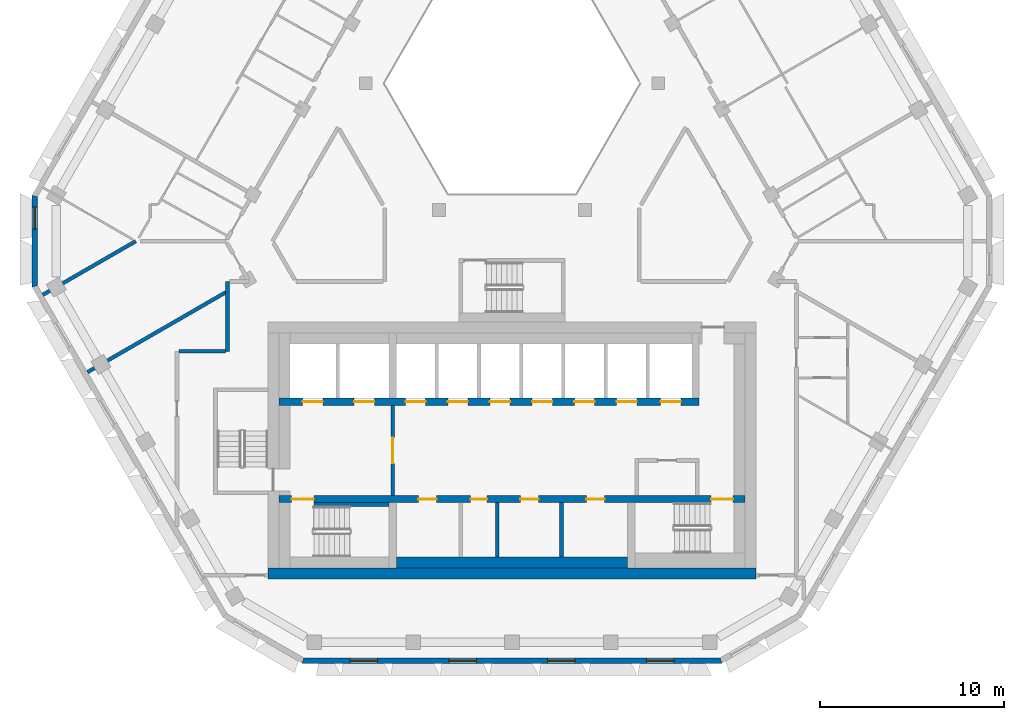
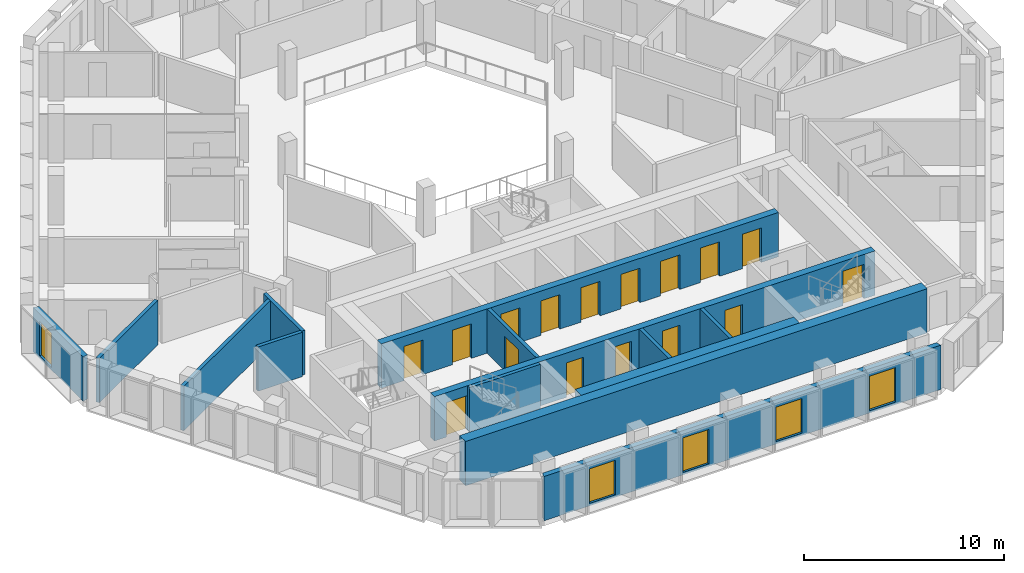
# One storey, part 3 of 15: 16 doors, 14 walls, 5 windows, 21 openings.
"""IFC4 building model written with IfcOpenShell, lengths in metres."""

from ifc_helpers import new_model, si_unit, direction, frame, frame_2d, origin, place, context, subcontext, project, spatial, polyline, rectangle, outline, extrude, material, layer, layer_set, type_object, element, fill, save


model = new_model("IFC4")

# Units and contexts
model_context = context("Model", 3, precision=1e-05, world=origin(), true_north=direction((0.0, 1.0)))
body_context = subcontext(model_context, "Body", "Model", "MODEL_VIEW")
ifc_project = project(units=[si_unit("LENGTHUNIT", "METRE"), si_unit("AREAUNIT", "SQUARE_METRE"), si_unit("VOLUMEUNIT", "CUBIC_METRE"), si_unit("PLANEANGLEUNIT", "RADIAN"), si_unit("MASSUNIT", "GRAM", prefix="KILO")], contexts=[model_context])

# Site, building, storey
site_placement = place(None, origin())
site = spatial("IfcSite", under=ifc_project, at=site_placement, CompositionType="ELEMENT")
building_placement = place(site_placement, origin())
building = spatial("IfcBuilding", under=site, at=building_placement, Name="Beryl Residences", CompositionType="ELEMENT")
storey_placement = place(building_placement, frame((0.0, 0.0, 187.199951171875)))
storey = spatial("IfcBuildingStorey", under=building, at=storey_placement, Name="L57", CompositionType="ELEMENT", Elevation=187.199951171875)

# Wall, opening, window
ifc_material_1 = material(Name="Composite metal panel with mineral wool insulation")
ifc_layer_1 = layer(ifc_material_1, 0.300048828125)
ifc_layer_set_1 = layer_set([ifc_layer_1], Name="ES1 pale metal composite panel wall 300 mm")
wall_type_1 = type_object("IfcWallType", Name="ES1 pale metal composite panel wall 300 mm", PredefinedType="SOLIDWALL", material=ifc_layer_set_1)
wall_1_placement = place(storey_placement, frame((-26.00390625, 1.89990234375, 0.0), z_axis=(0.0, 0.0, 1.0), x_axis=(0.0, -1.0, 0.0)))
wall_1 = element("IfcWall", 1, at=wall_1_placement, inside=storey, type_object=wall_type_1, Name="ES1 external wall L57 NW-SW", PredefinedType="SOLIDWALL", context=body_context, shape_type="SweptSolid", body=[
    extrude(outline(polyline([(0.0, -0.14990234375), (5.0, -0.14990234375), (4.919677734375, 0.14990234375), (0.080322265625, 0.14990234375), (0.0, -0.14990234375)])), origin(), (0.0, 0.0, 1.0), 2.699951171875),
])
opening_1_placement = place(wall_1_placement, frame((0.64990234375, 0.0, 0.14990234375)))
opening_1 = element("IfcOpeningElement", 2, at=opening_1_placement, cuts=wall_1, Name="Opening W2", PredefinedType="OPENING", context=body_context, shape_type="SweptSolid", body=[
    extrude(rectangle(XDim=1.199951171875, YDim=2.10009765625, at=frame_2d((0.60009765625, 1.050048828125))), frame((0.0, 0.159912109375, 0.0), z_axis=(0.0, -1.0, 0.0), x_axis=(1.0, 0.0, 0.0)), (0.0, 0.0, 1.0), 0.320068359375),
])
ifc_material_2 = material(Name="Aluminium and clear glass", Category="aluminium")
window_type_1 = type_object("IfcWindowType", Name="W2 chamfer window 1200 x 2100 mm", PartitioningType="SINGLE_PANEL", PredefinedType="WINDOW", material=ifc_material_2)
window_1_placement = place(opening_1_placement, origin())
window_1 = element("IfcWindow", 3, at=window_1_placement, inside=storey, type_object=window_type_1, Name="W2 window L57 NW-SW 1", OverallHeight=2.10009765625, OverallWidth=1.199951171875, PartitioningType="SINGLE_PANEL", PredefinedType="WINDOW", context=body_context, shape_type="SweptSolid", body=[
    extrude(rectangle(XDim=1.199951171875, YDim=2.10009765625, at=frame_2d((0.60009765625, 1.050048828125))), frame((0.0, 0.030029296875, 0.0), z_axis=(0.0, -1.0, 0.0), x_axis=(1.0, 0.0, 0.0)), (0.0, 0.0, 1.0), 0.06005859375),
])
fill(opening_1, window_1)

# Wall, openings, windows
wall_2_placement = place(storey_placement, frame((-11.430908203125, -23.449951171875, 0.0), z_axis=(0.0, 0.0, 1.0), x_axis=(1.0, 0.0, 0.0)))
wall_2 = element("IfcWall", 4, at=wall_2_placement, inside=storey, type_object=wall_type_1, Name="ES1 external wall L57 S", PredefinedType="SOLIDWALL", context=body_context, shape_type="SweptSolid", body=[
    extrude(outline(polyline([(0.0, -0.14990234375), (22.86181640625, -0.14990234375), (22.781494140625, 0.14990234375), (0.080322265625, 0.14990234375), (0.0, -0.14990234375)])), origin(), (0.0, 0.0, 1.0), 2.699951171875),
])
opening_2_placement = place(wall_2_placement, frame((2.60595703125, 0.0, 0.14990234375)))
opening_2 = element("IfcOpeningElement", 5, at=opening_2_placement, cuts=wall_2, Name="Opening W1", PredefinedType="OPENING", context=body_context, shape_type="SweptSolid", body=[
    extrude(rectangle(XDim=1.5, YDim=2.10009765625, at=frame_2d((0.75, 1.050048828125))), frame((0.0, 0.159912109375, 0.0), z_axis=(0.0, -1.0, 0.0), x_axis=(1.0, 0.0, 0.0)), (0.0, 0.0, 1.0), 0.320068359375),
])
opening_3_placement = place(wall_2_placement, frame((7.989990234375, 0.0, 0.14990234375)))
opening_3 = element("IfcOpeningElement", 6, at=opening_3_placement, cuts=wall_2, Name="Opening W1", PredefinedType="OPENING", context=body_context, shape_type="SweptSolid", body=[
    extrude(rectangle(XDim=1.5, YDim=2.10009765625, at=frame_2d((0.75, 1.050048828125))), frame((0.0, 0.159912109375, 0.0), z_axis=(0.0, -1.0, 0.0), x_axis=(1.0, 0.0, 0.0)), (0.0, 0.0, 1.0), 0.320068359375),
])
opening_4_placement = place(wall_2_placement, frame((13.3740234375, 0.0, 0.14990234375)))
opening_4 = element("IfcOpeningElement", 7, at=opening_4_placement, cuts=wall_2, Name="Opening W1", PredefinedType="OPENING", context=body_context, shape_type="SweptSolid", body=[
    extrude(rectangle(XDim=1.5, YDim=2.10009765625, at=frame_2d((0.75, 1.050048828125))), frame((0.0, 0.159912109375, 0.0), z_axis=(0.0, -1.0, 0.0), x_axis=(1.0, 0.0, 0.0)), (0.0, 0.0, 1.0), 0.320068359375),
])
opening_5_placement = place(wall_2_placement, frame((18.758056640625, 0.0, 0.14990234375)))
opening_5 = element("IfcOpeningElement", 8, at=opening_5_placement, cuts=wall_2, Name="Opening W1", PredefinedType="OPENING", context=body_context, shape_type="SweptSolid", body=[
    extrude(rectangle(XDim=1.5, YDim=2.10009765625, at=frame_2d((0.75, 1.050048828125))), frame((0.0, 0.159912109375, 0.0), z_axis=(0.0, -1.0, 0.0), x_axis=(1.0, 0.0, 0.0)), (0.0, 0.0, 1.0), 0.320068359375),
])
ifc_material_3 = material(Name="Aluminium and clear glass", Category="aluminium")
window_type_2 = type_object("IfcWindowType", Name="W1 cell window 1500 x 2100 mm", PartitioningType="SINGLE_PANEL", PredefinedType="WINDOW", material=ifc_material_3)
window_2_placement = place(opening_2_placement, origin())
window_2 = element("IfcWindow", 9, at=window_2_placement, inside=storey, type_object=window_type_2, Name="W1 window L57 S 2", OverallHeight=2.10009765625, OverallWidth=1.5, PartitioningType="SINGLE_PANEL", PredefinedType="WINDOW", context=body_context, shape_type="SweptSolid", body=[
    extrude(rectangle(XDim=1.5, YDim=2.10009765625, at=frame_2d((0.75, 1.050048828125))), frame((0.0, 0.030029296875, 0.0), z_axis=(0.0, -1.0, 0.0), x_axis=(1.0, 0.0, 0.0)), (0.0, 0.0, 1.0), 0.06005859375),
])
fill(opening_2, window_2)
window_3_placement = place(opening_3_placement, origin())
window_3 = element("IfcWindow", 10, at=window_3_placement, inside=storey, type_object=window_type_2, Name="W1 window L57 S 4", OverallHeight=2.10009765625, OverallWidth=1.5, PartitioningType="SINGLE_PANEL", PredefinedType="WINDOW", context=body_context, shape_type="SweptSolid", body=[
    extrude(rectangle(XDim=1.5, YDim=2.10009765625, at=frame_2d((0.75, 1.050048828125))), frame((0.0, 0.030029296875, 0.0), z_axis=(0.0, -1.0, 0.0), x_axis=(1.0, 0.0, 0.0)), (0.0, 0.0, 1.0), 0.06005859375),
])
fill(opening_3, window_3)
window_4_placement = place(opening_4_placement, origin())
window_4 = element("IfcWindow", 11, at=window_4_placement, inside=storey, type_object=window_type_2, Name="W1 window L57 S 6", OverallHeight=2.10009765625, OverallWidth=1.5, PartitioningType="SINGLE_PANEL", PredefinedType="WINDOW", context=body_context, shape_type="SweptSolid", body=[
    extrude(rectangle(XDim=1.5, YDim=2.10009765625, at=frame_2d((0.75, 1.050048828125))), frame((0.0, 0.030029296875, 0.0), z_axis=(0.0, -1.0, 0.0), x_axis=(1.0, 0.0, 0.0)), (0.0, 0.0, 1.0), 0.06005859375),
])
fill(opening_4, window_4)
window_5_placement = place(opening_5_placement, origin())
window_5 = element("IfcWindow", 12, at=window_5_placement, inside=storey, type_object=window_type_2, Name="W1 window L57 S 8", OverallHeight=2.10009765625, OverallWidth=1.5, PartitioningType="SINGLE_PANEL", PredefinedType="WINDOW", context=body_context, shape_type="SweptSolid", body=[
    extrude(rectangle(XDim=1.5, YDim=2.10009765625, at=frame_2d((0.75, 1.050048828125))), frame((0.0, 0.030029296875, 0.0), z_axis=(0.0, -1.0, 0.0), x_axis=(1.0, 0.0, 0.0)), (0.0, 0.0, 1.0), 0.06005859375),
])
fill(opening_5, window_5)

# Wall, opening, door
ifc_material_4 = material(Name="Concrete masonry", Category="masonry")
ifc_layer_2 = layer(ifc_material_4, 0.199951171875)
ifc_layer_set_2 = layer_set([ifc_layer_2], Name="PT13 lobby wall 200 mm")
wall_type_2 = type_object("IfcWallType", Name="PT13 lobby wall 200 mm", PredefinedType="PARTITIONING", material=ifc_layer_set_2)
wall_3_placement = place(storey_placement, frame((-6.5, -14.449951171875, 0.0), z_axis=(0.0, 0.0, 1.0), x_axis=(0.0, 1.0, 0.0)))
wall_3 = element("IfcWall", 13, at=wall_3_placement, inside=storey, type_object=wall_type_2, Name="Lobby wall 12", PredefinedType="PARTITIONING", context=body_context, shape_type="SweptSolid", body=[
    extrude(rectangle(XDim=4.89990234375, YDim=0.199951171875, at=frame_2d((2.449951171875, 0.0))), origin(), (0.0, 0.0, 1.0), 2.699951171875),
])
opening_6_placement = place(wall_3_placement, frame((3.14990234375, 0.0, 0.0), z_axis=(0.0, 0.0, 1.0), x_axis=(-1.0, 0.0, 0.0)))
opening_6 = element("IfcOpeningElement", 14, at=opening_6_placement, cuts=wall_3, Name="Opening FD-FFL", PredefinedType="OPENING", context=body_context, shape_type="SweptSolid", body=[
    extrude(rectangle(XDim=1.39990234375, YDim=2.10009765625, at=frame_2d((0.699951171875, 1.050048828125))), frame((0.0, 0.10986328125, 0.0), z_axis=(0.0, -1.0, 0.0), x_axis=(1.0, 0.0, 0.0)), (0.0, 0.0, 1.0), 0.219970703125),
])
ifc_material_5 = material(Name="Steel door leaf in steel frame", Category="steel")
door_type_1 = type_object("IfcDoorType", Name="D5 lobby door 1400 x 2100 mm", OperationType="DOUBLE_DOOR_SINGLE_SWING", PredefinedType="DOOR", material=ifc_material_5)
door_1_placement = place(opening_6_placement, origin())
door_1 = element("IfcDoor", 15, at=door_1_placement, inside=storey, type_object=door_type_1, Name="Door FD-FFL L57 001", OperationType="DOUBLE_DOOR_SINGLE_SWING", OverallHeight=2.10009765625, OverallWidth=1.39990234375, PredefinedType="DOOR", context=body_context, shape_type="SweptSolid", body=[
    extrude(rectangle(XDim=1.39990234375, YDim=2.10009765625, at=frame_2d((0.699951171875, 1.050048828125))), frame((0.0, 0.02490234375, 0.0), z_axis=(0.0, -1.0, 0.0), x_axis=(1.0, 0.0, 0.0)), (0.0, 0.0, 1.0), 0.050048828125),
])
fill(opening_6, door_1)

# Walls
ifc_material_6 = material(Name="Acoustic double stud gypsum board wall")
ifc_layer_3 = layer(ifc_material_6, 0.199951171875)
ifc_layer_set_3 = layer_set([ifc_layer_3], Name="PT3 party wall 200 mm acoustic double stud")
wall_type_3 = type_object("IfcWallType", Name="PT3 party wall 200 mm acoustic double stud", PredefinedType="PARTITIONING", material=ifc_layer_set_3)
wall_4_placement = place(storey_placement, frame((-23.1298828125, -7.737060546875, 0.0), z_axis=(0.0, 0.0, 1.0), x_axis=(0.86598451299, 0.500070818246, 0.0)))
element("IfcWall", 16, at=wall_4_placement, inside=storey, type_object=wall_type_3, Name="Wall PT3 L57 011", PredefinedType="PARTITIONING", context=body_context, shape_type="SweptSolid", body=[
    extrude(rectangle(XDim=8.695068359375, YDim=0.199951171875, at=frame_2d((4.34765625, 0.0))), origin(), (0.0, 0.0, 1.0), 2.699951171875),
])
wall_5_placement = place(storey_placement, frame((-25.56298828125, -3.52392578125, 0.0), z_axis=(0.0, 0.0, 1.0), x_axis=(0.866128586522, 0.499821239653, 0.0)))
element("IfcWall", 17, at=wall_5_placement, inside=storey, type_object=wall_type_3, Name="Wall PT3 L57 012", PredefinedType="PARTITIONING", context=body_context, shape_type="SweptSolid", body=[
    extrude(rectangle(XDim=5.847900390625, YDim=0.199951171875, at=frame_2d((2.923828125, 0.0))), origin(), (0.0, 0.0, 1.0), 2.699951171875),
])
ifc_material_7 = material(Name="Double stud gypsum board wall")
ifc_layer_4 = layer(ifc_material_7, 0.199951171875)
ifc_layer_set_4 = layer_set([ifc_layer_4], Name="PT4 corridor wall 200 mm double stud")
wall_type_4 = type_object("IfcWallType", Name="PT4 corridor wall 200 mm double stud", PredefinedType="PARTITIONING", material=ifc_layer_set_4)
wall_6_placement = place(storey_placement, frame((-18.14892578125, -6.60009765625, 0.0), z_axis=(0.0, 0.0, 1.0), x_axis=(1.0, 0.0, 0.0)))
element("IfcWall", 18, at=wall_6_placement, inside=storey, type_object=wall_type_4, Name="Wall PT4 L57 008", PredefinedType="PARTITIONING", context=body_context, shape_type="SweptSolid", body=[
    extrude(rectangle(XDim=2.548828125, YDim=0.199951171875, at=frame_2d((1.2744140625, 0.0))), origin(), (0.0, 0.0, 1.0), 2.699951171875),
])
wall_7_placement = place(storey_placement, frame((-15.5, -6.60009765625, 0.0), z_axis=(0.0, 0.0, 1.0), x_axis=(0.0, 1.0, 0.0)))
element("IfcWall", 19, at=wall_7_placement, inside=storey, type_object=wall_type_4, Name="Wall PT4 L57 024", PredefinedType="PARTITIONING", context=body_context, shape_type="SweptSolid", body=[
    extrude(rectangle(XDim=3.799072265625, YDim=0.199951171875, at=frame_2d((1.8994140625, 0.0))), origin(), (0.0, 0.0, 1.0), 2.699951171875),
])
ifc_material_8 = material(Name="Concrete C40/50", Category="concrete")
ifc_layer_5 = layer(ifc_material_8, 0.199951171875)
ifc_layer_set_5 = layer_set([ifc_layer_5], Name="PT5 stair enclosure wall 200 mm reinforced concrete C40/50")
wall_type_5 = type_object("IfcWallType", Name="PT5 stair enclosure wall 200 mm reinforced concrete C40/50", PredefinedType="SOLIDWALL", material=ifc_layer_set_5)
wall_8_placement = place(storey_placement, frame((-10.800048828125, -14.949951171875, 0.0), z_axis=(0.0, 0.0, 1.0), x_axis=(1.0, 0.0, 0.0)))
element("IfcWall", 20, at=wall_8_placement, inside=storey, type_object=wall_type_5, Name="Stair wall 10", PredefinedType="SOLIDWALL", context=body_context, shape_type="SweptSolid", body=[
    extrude(rectangle(XDim=4.10009765625, YDim=0.199951171875, at=frame_2d((2.050048828125, 0.0))), origin(), (0.0, 0.0, 1.0), 2.699951171875),
])
ifc_material_9 = material(Name="Concrete masonry", Category="masonry")
ifc_layer_6 = layer(ifc_material_9, 0.199951171875)
ifc_layer_set_6 = layer_set([ifc_layer_6], Name="PT8-200 service room wall 200 mm")
wall_type_6 = type_object("IfcWallType", Name="PT8-200 service room wall 200 mm", PredefinedType="PARTITIONING", material=ifc_layer_set_6)
for number, where, z_axis, x_axis, name in (
    (21, (-0.800048828125, -17.800048828125, 0.0), (0.0, 0.0, 1.0), (0.0, 1.0, 0.0), "Core room wall 18"),
    (22, (2.699951171875, -17.800048828125, 0.0), (0.0, 0.0, 1.0), (0.0, 1.0, 0.0), "Core room wall 20"),
):
    element("IfcWall", number, at=place(storey_placement, frame(where, z_axis=z_axis, x_axis=x_axis)), inside=storey, type_object=wall_type_6, Name=name, PredefinedType="PARTITIONING", context=body_context, shape_type="SweptSolid", body=[
        extrude(rectangle(XDim=2.949951171875, YDim=0.199951171875, at=frame_2d((1.47509765625, 0.0))), origin(), (0.0, 0.0, 1.0), 2.699951171875),
    ])
ifc_material_10 = material(Name="Concrete masonry", Category="masonry")
ifc_layer_7 = layer(ifc_material_10, 0.60009765625)
ifc_layer_set_7 = layer_set([ifc_layer_7], Name="PT8-600 service room wall 600 mm")
wall_type_7 = type_object("IfcWallType", Name="PT8-600 service room wall 600 mm", PredefinedType="PARTITIONING", material=ifc_layer_set_7)
wall_9_placement = place(storey_placement, frame((-6.300048828125, -18.10009765625, 0.0), z_axis=(0.0, 0.0, 1.0), x_axis=(1.0, 0.0, 0.0)))
element("IfcWall", 23, at=wall_9_placement, inside=storey, type_object=wall_type_7, Name="Core room wall 13", PredefinedType="PARTITIONING", context=body_context, shape_type="SweptSolid", body=[
    extrude(rectangle(XDim=12.60009765625, YDim=0.60009765625, at=frame_2d((6.300048828125, 0.0))), origin(), (0.0, 0.0, 1.0), 2.699951171875),
])
ifc_material_11 = material(Name="Concrete C50/60", Category="concrete")
ifc_layer_8 = layer(ifc_material_11, 0.60009765625)
ifc_layer_set_8 = layer_set([ifc_layer_8], Name="SW4 core outer wall 600 mm C50/60")
wall_type_8 = type_object("IfcWallType", Name="SW4 core outer wall 600 mm C50/60", PredefinedType="SHEAR", material=ifc_layer_set_8)
wall_10_placement = place(storey_placement, frame((-13.300048828125, -18.699951171875, 0.0), z_axis=(0.0, 0.0, 1.0), x_axis=(1.0, 0.0, 0.0)))
element("IfcWall", 24, at=wall_10_placement, inside=storey, type_object=wall_type_8, Name="Core wall S L57", PredefinedType="SHEAR", context=body_context, shape_type="SweptSolid", body=[
    extrude(rectangle(XDim=26.60009765625, YDim=0.60009765625, at=frame_2d((13.300048828125, 0.0))), origin(), (0.0, 0.0, 1.0), 2.699951171875),
])

# Wall, openings, doors
ifc_material_12 = material(Name="Concrete C50/60", Category="concrete")
ifc_layer_9 = layer(ifc_material_12, 0.39990234375)
ifc_layer_set_9 = layer_set([ifc_layer_9], Name="SW9 core internal wall 400 mm C50/60")
wall_type_9 = type_object("IfcWallType", Name="SW9 core internal wall 400 mm C50/60", PredefinedType="SHEAR", material=ifc_layer_set_9)
wall_11_placement = place(storey_placement, frame((-12.699951171875, -14.64990234375, 0.0), z_axis=(0.0, 0.0, 1.0), x_axis=(1.0, 0.0, 0.0)))
wall_11 = element("IfcWall", 25, at=wall_11_placement, inside=storey, type_object=wall_type_9, Name="Core wall SP1 L57", PredefinedType="SHEAR", context=body_context, shape_type="SweptSolid", body=[
    extrude(rectangle(XDim=25.39990234375, YDim=0.39990234375, at=frame_2d((12.699951171875, 0.0))), origin(), (0.0, 0.0, 1.0), 2.699951171875),
])
opening_7_placement = place(wall_11_placement, frame((1.89990234375, 0.0, 0.0), z_axis=(0.0, 0.0, 1.0), x_axis=(-1.0, 0.0, 0.0)))
opening_7 = element("IfcOpeningElement", 26, at=opening_7_placement, cuts=wall_11, Name="Opening SD-1", PredefinedType="OPENING", context=body_context, shape_type="SweptSolid", body=[
    extrude(rectangle(XDim=1.199951171875, YDim=2.10009765625, at=frame_2d((0.60009765625, 1.050048828125))), frame((0.0, 0.2099609375, 0.0), z_axis=(0.0, -1.0, 0.0), x_axis=(1.0, 0.0, 0.0)), (0.0, 0.0, 1.0), 0.419921875),
])
opening_8_placement = place(wall_11_placement, frame((24.75, 0.0, 0.0), z_axis=(0.0, 0.0, 1.0), x_axis=(-1.0, 0.0, 0.0)))
opening_8 = element("IfcOpeningElement", 27, at=opening_8_placement, cuts=wall_11, Name="Opening SD-3", PredefinedType="OPENING", context=body_context, shape_type="SweptSolid", body=[
    extrude(rectangle(XDim=1.199951171875, YDim=2.10009765625, at=frame_2d((0.60009765625, 1.050048828125))), frame((0.0, 0.2099609375, 0.0), z_axis=(0.0, -1.0, 0.0), x_axis=(1.0, 0.0, 0.0)), (0.0, 0.0, 1.0), 0.419921875),
])
opening_9_placement = place(wall_11_placement, frame((8.60009765625, 0.0, 0.0), z_axis=(0.0, 0.0, 1.0), x_axis=(-1.0, 0.0, 0.0)))
opening_9 = element("IfcOpeningElement", 28, at=opening_9_placement, cuts=wall_11, Name="Opening CD-D-S1", PredefinedType="OPENING", context=body_context, shape_type="SweptSolid", body=[
    extrude(rectangle(XDim=1.0, YDim=2.10009765625, at=frame_2d((0.5, 1.050048828125))), frame((0.0, 0.2099609375, 0.0), z_axis=(0.0, -1.0, 0.0), x_axis=(1.0, 0.0, 0.0)), (0.0, 0.0, 1.0), 0.419921875),
])
opening_10_placement = place(wall_11_placement, frame((11.349853515625, 0.0, 0.0), z_axis=(0.0, 0.0, 1.0), x_axis=(-1.0, 0.0, 0.0)))
opening_10 = element("IfcOpeningElement", 29, at=opening_10_placement, cuts=wall_11, Name="Opening CD-D-S2-900", PredefinedType="OPENING", context=body_context, shape_type="SweptSolid", body=[
    extrude(rectangle(XDim=0.89990234375, YDim=2.10009765625, at=frame_2d((0.449951171875, 1.050048828125))), frame((0.0, 0.2099609375, 0.0), z_axis=(0.0, -1.0, 0.0), x_axis=(1.0, 0.0, 0.0)), (0.0, 0.0, 1.0), 0.419921875),
])
opening_11_placement = place(wall_11_placement, frame((14.14990234375, 0.0, 0.0), z_axis=(0.0, 0.0, 1.0), x_axis=(-1.0, 0.0, 0.0)))
opening_11 = element("IfcOpeningElement", 30, at=opening_11_placement, cuts=wall_11, Name="Opening CD-D-S3", PredefinedType="OPENING", context=body_context, shape_type="SweptSolid", body=[
    extrude(rectangle(XDim=1.0, YDim=2.10009765625, at=frame_2d((0.5, 1.050048828125))), frame((0.0, 0.2099609375, 0.0), z_axis=(0.0, -1.0, 0.0), x_axis=(1.0, 0.0, 0.0)), (0.0, 0.0, 1.0), 0.419921875),
])
opening_12_placement = place(wall_11_placement, frame((17.75, 0.0, 0.0), z_axis=(0.0, 0.0, 1.0), x_axis=(-1.0, 0.0, 0.0)))
opening_12 = element("IfcOpeningElement", 31, at=opening_12_placement, cuts=wall_11, Name="Opening CD-D-S4", PredefinedType="OPENING", context=body_context, shape_type="SweptSolid", body=[
    extrude(rectangle(XDim=1.0, YDim=2.10009765625, at=frame_2d((0.5, 1.050048828125))), frame((0.0, 0.2099609375, 0.0), z_axis=(0.0, -1.0, 0.0), x_axis=(1.0, 0.0, 0.0)), (0.0, 0.0, 1.0), 0.419921875),
])
ifc_material_13 = material(Name="Steel door leaf in steel frame", Category="steel")
door_type_2 = type_object("IfcDoorType", Name="D18 service room door 1000 x 2100 mm", OperationType="SINGLE_SWING_LEFT", PredefinedType="DOOR", material=ifc_material_13)
door_2_placement = place(opening_9_placement, origin())
door_2 = element("IfcDoor", 32, at=door_2_placement, inside=storey, type_object=door_type_2, Name="Door CD-D-S1 L57 001", OperationType="SINGLE_SWING_RIGHT", OverallHeight=2.10009765625, OverallWidth=1.0, PredefinedType="DOOR", context=body_context, shape_type="SweptSolid", body=[
    extrude(rectangle(XDim=1.0, YDim=2.10009765625, at=frame_2d((0.5, 1.050048828125))), frame((0.0, 0.02490234375, 0.0), z_axis=(0.0, -1.0, 0.0), x_axis=(1.0, 0.0, 0.0)), (0.0, 0.0, 1.0), 0.050048828125),
])
fill(opening_9, door_2)
door_3_placement = place(opening_11_placement, origin())
door_3 = element("IfcDoor", 33, at=door_3_placement, inside=storey, type_object=door_type_2, Name="Door CD-D-S3 L57 001", OperationType="SINGLE_SWING_RIGHT", OverallHeight=2.10009765625, OverallWidth=1.0, PredefinedType="DOOR", context=body_context, shape_type="SweptSolid", body=[
    extrude(rectangle(XDim=1.0, YDim=2.10009765625, at=frame_2d((0.5, 1.050048828125))), frame((0.0, 0.02490234375, 0.0), z_axis=(0.0, -1.0, 0.0), x_axis=(1.0, 0.0, 0.0)), (0.0, 0.0, 1.0), 0.050048828125),
])
fill(opening_11, door_3)
door_4_placement = place(opening_12_placement, origin())
door_4 = element("IfcDoor", 34, at=door_4_placement, inside=storey, type_object=door_type_2, Name="Door CD-D-S4 L57 001", OperationType="SINGLE_SWING_LEFT", OverallHeight=2.10009765625, OverallWidth=1.0, PredefinedType="DOOR", context=body_context, shape_type="SweptSolid", body=[
    extrude(rectangle(XDim=1.0, YDim=2.10009765625, at=frame_2d((0.5, 1.050048828125))), frame((0.0, 0.02490234375, 0.0), z_axis=(0.0, -1.0, 0.0), x_axis=(1.0, 0.0, 0.0)), (0.0, 0.0, 1.0), 0.050048828125),
])
fill(opening_12, door_4)
ifc_material_14 = material(Name="Steel door leaf in steel frame", Category="steel")
door_type_3 = type_object("IfcDoorType", Name="D4 stair door 1200 x 2100 mm", OperationType="SINGLE_SWING_LEFT", PredefinedType="DOOR", material=ifc_material_14)
door_5_placement = place(opening_7_placement, origin())
door_5 = element("IfcDoor", 35, at=door_5_placement, inside=storey, type_object=door_type_3, Name="Door SD-1 L57 001", OperationType="SINGLE_SWING_RIGHT", OverallHeight=2.10009765625, OverallWidth=1.199951171875, PredefinedType="DOOR", context=body_context, shape_type="SweptSolid", body=[
    extrude(rectangle(XDim=1.199951171875, YDim=2.10009765625, at=frame_2d((0.60009765625, 1.050048828125))), frame((0.0, 0.02490234375, 0.0), z_axis=(0.0, -1.0, 0.0), x_axis=(1.0, 0.0, 0.0)), (0.0, 0.0, 1.0), 0.050048828125),
])
fill(opening_7, door_5)
door_6_placement = place(opening_8_placement, origin())
door_6 = element("IfcDoor", 36, at=door_6_placement, inside=storey, type_object=door_type_3, Name="Door SD-3 L57 001", OperationType="SINGLE_SWING_RIGHT", OverallHeight=2.10009765625, OverallWidth=1.199951171875, PredefinedType="DOOR", context=body_context, shape_type="SweptSolid", body=[
    extrude(rectangle(XDim=1.199951171875, YDim=2.10009765625, at=frame_2d((0.60009765625, 1.050048828125))), frame((0.0, 0.02490234375, 0.0), z_axis=(0.0, -1.0, 0.0), x_axis=(1.0, 0.0, 0.0)), (0.0, 0.0, 1.0), 0.050048828125),
])
fill(opening_8, door_6)
ifc_material_15 = material(Name="Steel door leaf in steel frame", Category="steel")
door_type_4 = type_object("IfcDoorType", Name="D6 service room door 900 x 2100 mm", OperationType="SINGLE_SWING_LEFT", PredefinedType="DOOR", material=ifc_material_15)
door_7_placement = place(opening_10_placement, origin())
door_7 = element("IfcDoor", 37, at=door_7_placement, inside=storey, type_object=door_type_4, Name="Door CD-D-S2-900 L57 001", OperationType="SINGLE_SWING_LEFT", OverallHeight=2.10009765625, OverallWidth=0.89990234375, PredefinedType="DOOR", context=body_context, shape_type="SweptSolid", body=[
    extrude(rectangle(XDim=0.89990234375, YDim=2.10009765625, at=frame_2d((0.449951171875, 1.050048828125))), frame((0.0, 0.02490234375, 0.0), z_axis=(0.0, -1.0, 0.0), x_axis=(1.0, 0.0, 0.0)), (0.0, 0.0, 1.0), 0.050048828125),
])
fill(opening_10, door_7)

wall_12_placement = place(storey_placement, frame((-12.699951171875, -9.35009765625, 0.0), z_axis=(0.0, 0.0, 1.0), x_axis=(1.0, 0.0, 0.0)))
wall_12 = element("IfcWall", 38, at=wall_12_placement, inside=storey, type_object=wall_type_9, Name="Core wall SP2 L57", PredefinedType="SHEAR", context=body_context, shape_type="SweptSolid", body=[
    extrude(rectangle(XDim=22.89990234375, YDim=0.39990234375, at=frame_2d((11.449951171875, 0.0))), origin(), (0.0, 0.0, 1.0), 2.699951171875),
])
opening_13_placement = place(wall_12_placement, frame((1.300048828125, 0.0, 0.0)))
opening_13 = element("IfcOpeningElement", 39, at=opening_13_placement, cuts=wall_12, Name="Opening LD-FF1", PredefinedType="OPENING", context=body_context, shape_type="SweptSolid", body=[
    extrude(rectangle(XDim=1.10009765625, YDim=2.10009765625, at=frame_2d((0.550048828125, 1.050048828125))), frame((0.0, 0.2099609375, 0.0), z_axis=(0.0, -1.0, 0.0), x_axis=(1.0, 0.0, 0.0)), (0.0, 0.0, 1.0), 0.419921875),
])
opening_14_placement = place(wall_12_placement, frame((4.10009765625, 0.0, 0.0)))
opening_14 = element("IfcOpeningElement", 40, at=opening_14_placement, cuts=wall_12, Name="Opening LD-FF2", PredefinedType="OPENING", context=body_context, shape_type="SweptSolid", body=[
    extrude(rectangle(XDim=1.10009765625, YDim=2.10009765625, at=frame_2d((0.550048828125, 1.050048828125))), frame((0.0, 0.2099609375, 0.0), z_axis=(0.0, -1.0, 0.0), x_axis=(1.0, 0.0, 0.0)), (0.0, 0.0, 1.0), 0.419921875),
])
opening_15_placement = place(wall_12_placement, frame((6.89990234375, 0.0, 0.0)))
opening_15 = element("IfcOpeningElement", 41, at=opening_15_placement, cuts=wall_12, Name="Opening LD-HR1", PredefinedType="OPENING", context=body_context, shape_type="SweptSolid", body=[
    extrude(rectangle(XDim=1.10009765625, YDim=2.10009765625, at=frame_2d((0.550048828125, 1.050048828125))), frame((0.0, 0.2099609375, 0.0), z_axis=(0.0, -1.0, 0.0), x_axis=(1.0, 0.0, 0.0)), (0.0, 0.0, 1.0), 0.419921875),
])
opening_16_placement = place(wall_12_placement, frame((9.199951171875, 0.0, 0.0)))
opening_16 = element("IfcOpeningElement", 42, at=opening_16_placement, cuts=wall_12, Name="Opening LD-HR2", PredefinedType="OPENING", context=body_context, shape_type="SweptSolid", body=[
    extrude(rectangle(XDim=1.10009765625, YDim=2.10009765625, at=frame_2d((0.550048828125, 1.050048828125))), frame((0.0, 0.2099609375, 0.0), z_axis=(0.0, -1.0, 0.0), x_axis=(1.0, 0.0, 0.0)), (0.0, 0.0, 1.0), 0.419921875),
])
opening_17_placement = place(wall_12_placement, frame((11.5, 0.0, 0.0)))
opening_17 = element("IfcOpeningElement", 43, at=opening_17_placement, cuts=wall_12, Name="Opening LD-HR3", PredefinedType="OPENING", context=body_context, shape_type="SweptSolid", body=[
    extrude(rectangle(XDim=1.10009765625, YDim=2.10009765625, at=frame_2d((0.550048828125, 1.050048828125))), frame((0.0, 0.2099609375, 0.0), z_axis=(0.0, -1.0, 0.0), x_axis=(1.0, 0.0, 0.0)), (0.0, 0.0, 1.0), 0.419921875),
])
opening_18_placement = place(wall_12_placement, frame((13.800048828125, 0.0, 0.0)))
opening_18 = element("IfcOpeningElement", 44, at=opening_18_placement, cuts=wall_12, Name="Opening LD-HR4", PredefinedType="OPENING", context=body_context, shape_type="SweptSolid", body=[
    extrude(rectangle(XDim=1.10009765625, YDim=2.10009765625, at=frame_2d((0.550048828125, 1.050048828125))), frame((0.0, 0.2099609375, 0.0), z_axis=(0.0, -1.0, 0.0), x_axis=(1.0, 0.0, 0.0)), (0.0, 0.0, 1.0), 0.419921875),
])
opening_19_placement = place(wall_12_placement, frame((16.10009765625, 0.0, 0.0)))
opening_19 = element("IfcOpeningElement", 45, at=opening_19_placement, cuts=wall_12, Name="Opening LD-HR5", PredefinedType="OPENING", context=body_context, shape_type="SweptSolid", body=[
    extrude(rectangle(XDim=1.10009765625, YDim=2.10009765625, at=frame_2d((0.550048828125, 1.050048828125))), frame((0.0, 0.2099609375, 0.0), z_axis=(0.0, -1.0, 0.0), x_axis=(1.0, 0.0, 0.0)), (0.0, 0.0, 1.0), 0.419921875),
])
opening_20_placement = place(wall_12_placement, frame((18.39990234375, 0.0, 0.0)))
opening_20 = element("IfcOpeningElement", 46, at=opening_20_placement, cuts=wall_12, Name="Opening LD-HR6", PredefinedType="OPENING", context=body_context, shape_type="SweptSolid", body=[
    extrude(rectangle(XDim=1.10009765625, YDim=2.10009765625, at=frame_2d((0.550048828125, 1.050048828125))), frame((0.0, 0.2099609375, 0.0), z_axis=(0.0, -1.0, 0.0), x_axis=(1.0, 0.0, 0.0)), (0.0, 0.0, 1.0), 0.419921875),
])
opening_21_placement = place(wall_12_placement, frame((20.800048828125, 0.0, 0.0)))
opening_21 = element("IfcOpeningElement", 47, at=opening_21_placement, cuts=wall_12, Name="Opening LD-SL1", PredefinedType="OPENING", context=body_context, shape_type="SweptSolid", body=[
    extrude(rectangle(XDim=1.10009765625, YDim=2.10009765625, at=frame_2d((0.550048828125, 1.050048828125))), frame((0.0, 0.2099609375, 0.0), z_axis=(0.0, -1.0, 0.0), x_axis=(1.0, 0.0, 0.0)), (0.0, 0.0, 1.0), 0.419921875),
])
ifc_material_16 = material(Name="Stainless steel sliding door", Category="steel")
door_type_5 = type_object("IfcDoorType", Name="LD1 lift landing door 1100 x 2100 mm", OperationType="DOUBLE_DOOR_SLIDING", PredefinedType="DOOR", material=ifc_material_16)
door_8_placement = place(opening_13_placement, origin())
door_8 = element("IfcDoor", 48, at=door_8_placement, inside=storey, type_object=door_type_5, Name="Lift landing door FF1", OperationType="DOUBLE_DOOR_SLIDING", OverallHeight=2.10009765625, OverallWidth=1.10009765625, PredefinedType="DOOR", context=body_context, shape_type="SweptSolid", body=[
    extrude(rectangle(XDim=1.10009765625, YDim=2.10009765625, at=frame_2d((0.550048828125, 1.050048828125))), frame((0.0, 0.02490234375, 0.0), z_axis=(0.0, -1.0, 0.0), x_axis=(1.0, 0.0, 0.0)), (0.0, 0.0, 1.0), 0.050048828125),
])
fill(opening_13, door_8)
door_9_placement = place(opening_14_placement, origin())
door_9 = element("IfcDoor", 49, at=door_9_placement, inside=storey, type_object=door_type_5, Name="Lift landing door FF2", OperationType="DOUBLE_DOOR_SLIDING", OverallHeight=2.10009765625, OverallWidth=1.10009765625, PredefinedType="DOOR", context=body_context, shape_type="SweptSolid", body=[
    extrude(rectangle(XDim=1.10009765625, YDim=2.10009765625, at=frame_2d((0.550048828125, 1.050048828125))), frame((0.0, 0.02490234375, 0.0), z_axis=(0.0, -1.0, 0.0), x_axis=(1.0, 0.0, 0.0)), (0.0, 0.0, 1.0), 0.050048828125),
])
fill(opening_14, door_9)
door_10_placement = place(opening_15_placement, origin())
door_10 = element("IfcDoor", 50, at=door_10_placement, inside=storey, type_object=door_type_5, Name="Lift landing door HR1", OperationType="DOUBLE_DOOR_SLIDING", OverallHeight=2.10009765625, OverallWidth=1.10009765625, PredefinedType="DOOR", context=body_context, shape_type="SweptSolid", body=[
    extrude(rectangle(XDim=1.10009765625, YDim=2.10009765625, at=frame_2d((0.550048828125, 1.050048828125))), frame((0.0, 0.02490234375, 0.0), z_axis=(0.0, -1.0, 0.0), x_axis=(1.0, 0.0, 0.0)), (0.0, 0.0, 1.0), 0.050048828125),
])
fill(opening_15, door_10)
door_11_placement = place(opening_16_placement, origin())
door_11 = element("IfcDoor", 51, at=door_11_placement, inside=storey, type_object=door_type_5, Name="Lift landing door HR2", OperationType="DOUBLE_DOOR_SLIDING", OverallHeight=2.10009765625, OverallWidth=1.10009765625, PredefinedType="DOOR", context=body_context, shape_type="SweptSolid", body=[
    extrude(rectangle(XDim=1.10009765625, YDim=2.10009765625, at=frame_2d((0.550048828125, 1.050048828125))), frame((0.0, 0.02490234375, 0.0), z_axis=(0.0, -1.0, 0.0), x_axis=(1.0, 0.0, 0.0)), (0.0, 0.0, 1.0), 0.050048828125),
])
fill(opening_16, door_11)
door_12_placement = place(opening_17_placement, origin())
door_12 = element("IfcDoor", 52, at=door_12_placement, inside=storey, type_object=door_type_5, Name="Lift landing door HR3", OperationType="DOUBLE_DOOR_SLIDING", OverallHeight=2.10009765625, OverallWidth=1.10009765625, PredefinedType="DOOR", context=body_context, shape_type="SweptSolid", body=[
    extrude(rectangle(XDim=1.10009765625, YDim=2.10009765625, at=frame_2d((0.550048828125, 1.050048828125))), frame((0.0, 0.02490234375, 0.0), z_axis=(0.0, -1.0, 0.0), x_axis=(1.0, 0.0, 0.0)), (0.0, 0.0, 1.0), 0.050048828125),
])
fill(opening_17, door_12)
door_13_placement = place(opening_18_placement, origin())
door_13 = element("IfcDoor", 53, at=door_13_placement, inside=storey, type_object=door_type_5, Name="Lift landing door HR4", OperationType="DOUBLE_DOOR_SLIDING", OverallHeight=2.10009765625, OverallWidth=1.10009765625, PredefinedType="DOOR", context=body_context, shape_type="SweptSolid", body=[
    extrude(rectangle(XDim=1.10009765625, YDim=2.10009765625, at=frame_2d((0.550048828125, 1.050048828125))), frame((0.0, 0.02490234375, 0.0), z_axis=(0.0, -1.0, 0.0), x_axis=(1.0, 0.0, 0.0)), (0.0, 0.0, 1.0), 0.050048828125),
])
fill(opening_18, door_13)
door_14_placement = place(opening_19_placement, origin())
door_14 = element("IfcDoor", 54, at=door_14_placement, inside=storey, type_object=door_type_5, Name="Lift landing door HR5", OperationType="DOUBLE_DOOR_SLIDING", OverallHeight=2.10009765625, OverallWidth=1.10009765625, PredefinedType="DOOR", context=body_context, shape_type="SweptSolid", body=[
    extrude(rectangle(XDim=1.10009765625, YDim=2.10009765625, at=frame_2d((0.550048828125, 1.050048828125))), frame((0.0, 0.02490234375, 0.0), z_axis=(0.0, -1.0, 0.0), x_axis=(1.0, 0.0, 0.0)), (0.0, 0.0, 1.0), 0.050048828125),
])
fill(opening_19, door_14)
door_15_placement = place(opening_20_placement, origin())
door_15 = element("IfcDoor", 55, at=door_15_placement, inside=storey, type_object=door_type_5, Name="Lift landing door HR6", OperationType="DOUBLE_DOOR_SLIDING", OverallHeight=2.10009765625, OverallWidth=1.10009765625, PredefinedType="DOOR", context=body_context, shape_type="SweptSolid", body=[
    extrude(rectangle(XDim=1.10009765625, YDim=2.10009765625, at=frame_2d((0.550048828125, 1.050048828125))), frame((0.0, 0.02490234375, 0.0), z_axis=(0.0, -1.0, 0.0), x_axis=(1.0, 0.0, 0.0)), (0.0, 0.0, 1.0), 0.050048828125),
])
fill(opening_20, door_15)
door_16_placement = place(opening_21_placement, origin())
door_16 = element("IfcDoor", 56, at=door_16_placement, inside=storey, type_object=door_type_5, Name="Lift landing door SL1", OperationType="DOUBLE_DOOR_SLIDING", OverallHeight=2.10009765625, OverallWidth=1.10009765625, PredefinedType="DOOR", context=body_context, shape_type="SweptSolid", body=[
    extrude(rectangle(XDim=1.10009765625, YDim=2.10009765625, at=frame_2d((0.550048828125, 1.050048828125))), frame((0.0, 0.02490234375, 0.0), z_axis=(0.0, -1.0, 0.0), x_axis=(1.0, 0.0, 0.0)), (0.0, 0.0, 1.0), 0.050048828125),
])
fill(opening_21, door_16)

save(model, "model.ifc")
